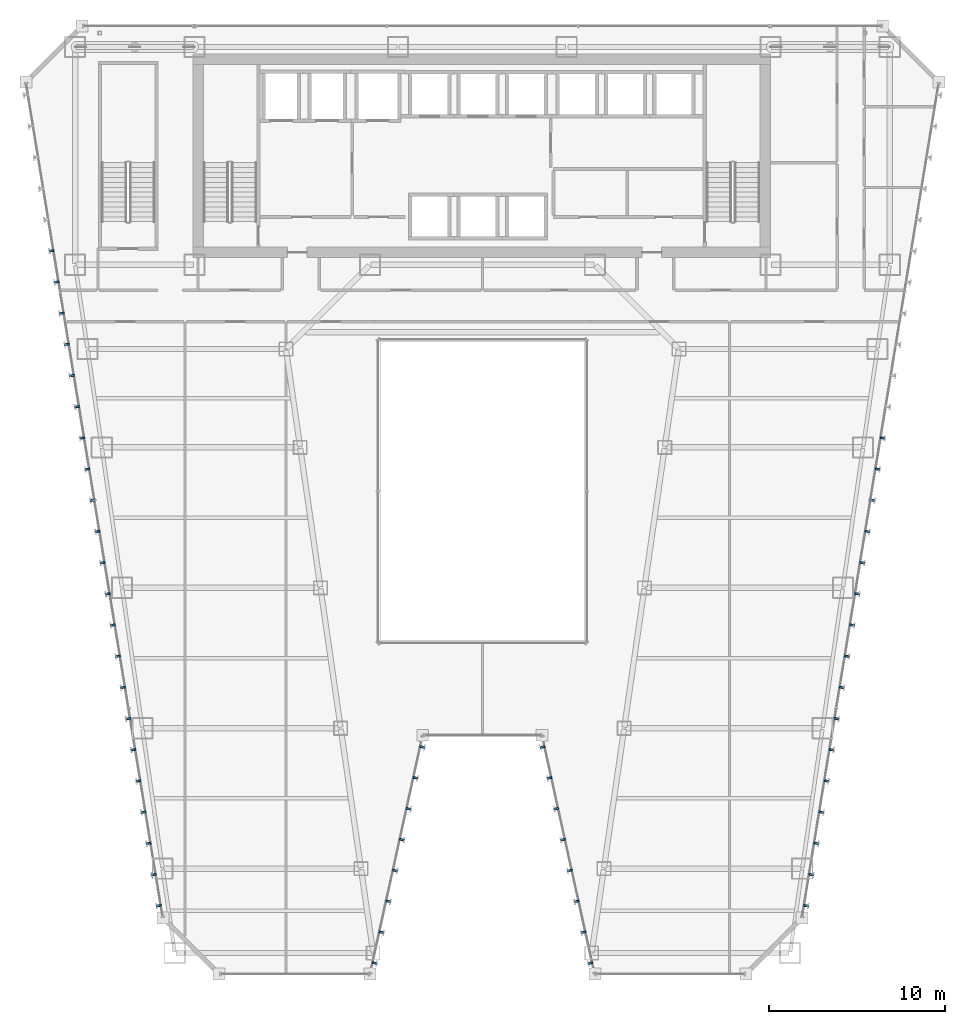
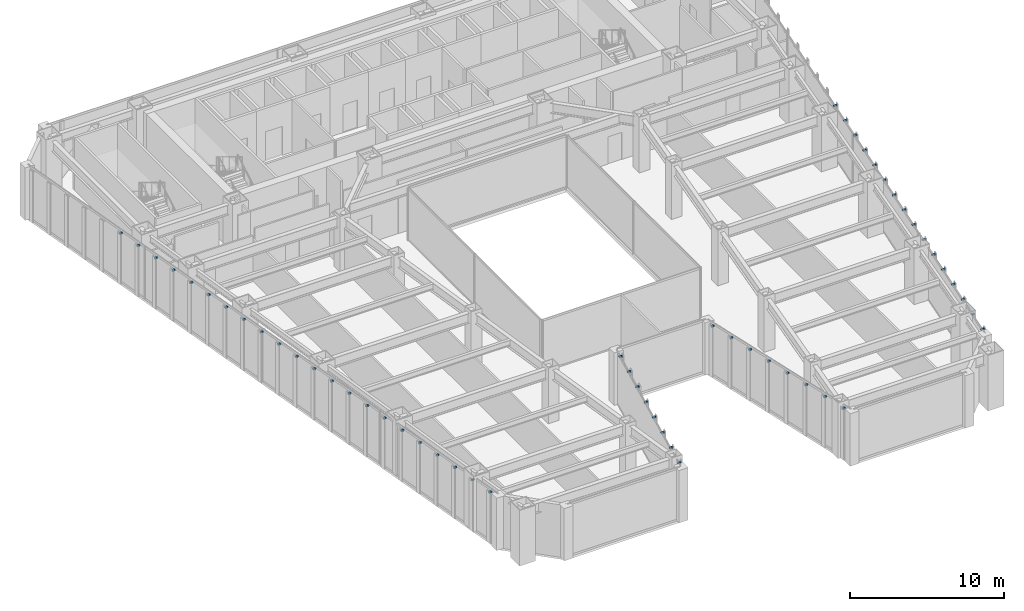
# One storey, part 39 of 47: 54 discrete accessories.
"""IFC4 building model written with IfcOpenShell, lengths in metres."""

from ifc_helpers import new_model, si_unit, direction, frame, origin, origin_2d, place, context, subcontext, project, spatial, rectangle, extrude, material, layer, layer_set, type_object, element, save


model = new_model("IFC4")

# Units and contexts
model_context = context("Model", 3, precision=1e-05, world=origin(), true_north=direction((0.0, 1.0)))
body_context = subcontext(model_context, "Body", "Model", "MODEL_VIEW")
ifc_project = project(units=[si_unit("LENGTHUNIT", "METRE"), si_unit("AREAUNIT", "SQUARE_METRE"), si_unit("VOLUMEUNIT", "CUBIC_METRE"), si_unit("PLANEANGLEUNIT", "RADIAN"), si_unit("MASSUNIT", "GRAM", prefix="KILO")], contexts=[model_context])

# Site, building, storey
site_placement = place(None, origin())
site = spatial("IfcSite", under=ifc_project, at=site_placement, CompositionType="ELEMENT")
building_placement = place(site_placement, origin())
building = spatial("IfcBuilding", under=site, at=building_placement, Name="Saevonmaru Cultural Tower", CompositionType="ELEMENT")
storey_placement = place(building_placement, frame((0.0, 0.0, 51.60009765625)))
storey = spatial("IfcBuildingStorey", under=building, at=storey_placement, Name="L10", CompositionType="ELEMENT", Elevation=51.60009765625)

# Discrete accessories
ifc_material = material(Name="Stainless Steel 316", Category="steel")
ifc_layer = layer(ifc_material, 0.1201171875, Name="Stainless Steel 316")
ifc_layer_set = layer_set([ifc_layer], Name="Stainless Steel 316")
discrete_accessory_type = type_object("IfcDiscreteAccessoryType", Name="ACC-FIN-BRKT", PredefinedType="BRACKET", material=ifc_layer_set)
for number, where, z_axis, x_axis, name in (
    (1, (23.850341796875, 2.624267578125, 3.929931640625), (0.0, 0.0, 1.0), (0.976522126798, -0.215417120661, 0.0), "L10 Bronze Fin Bracket E3-01"),
    (2, (24.238037109375, 4.3818359375, 3.929931640625), (0.0, 0.0, 1.0), (0.976522126798, -0.215417120661, 0.0), "L10 Bronze Fin Bracket E3-02"),
    (3, (24.625732421875, 6.1396484375, 3.929931640625), (0.0, 0.0, 1.0), (0.976522126798, -0.215417120661, 0.0), "L10 Bronze Fin Bracket E3-03"),
    (4, (25.013427734375, 7.8974609375, 3.929931640625), (0.0, 0.0, 1.0), (0.976522126798, -0.215417120661, 0.0), "L10 Bronze Fin Bracket E3-04"),
    (5, (25.4013671875, 9.6552734375, 3.929931640625), (0.0, 0.0, 1.0), (0.976522126798, -0.215417120661, 0.0), "L10 Bronze Fin Bracket E3-05"),
    (6, (25.7890625, 11.412841796875, 3.929931640625), (0.0, 0.0, 1.0), (0.976522126798, -0.215417120661, 0.0), "L10 Bronze Fin Bracket E3-06"),
    (7, (26.1767578125, 13.170654296875, 3.929931640625), (0.0, 0.0, 1.0), (0.976522126798, -0.215417120661, 0.0), "L10 Bronze Fin Bracket E3-07"),
    (8, (26.564453125, 14.928466796875, 3.929931640625), (0.0, 0.0, 1.0), (0.976522126798, -0.215417120661, 0.0), "L10 Bronze Fin Bracket E3-08"),
    (9, (33.435546875, 14.928466796875, 3.929931640625), (0.0, 0.0, 1.0), (-0.976522126798, -0.215417120661, 0.0), "L10 Bronze Fin Bracket E5-01"),
    (10, (33.8232421875, 13.170654296875, 3.929931640625), (0.0, 0.0, 1.0), (-0.976522126798, -0.215417120661, 0.0), "L10 Bronze Fin Bracket E5-02"),
    (11, (34.2109375, 11.412841796875, 3.929931640625), (0.0, 0.0, 1.0), (-0.976522126798, -0.215417120661, 0.0), "L10 Bronze Fin Bracket E5-03"),
    (12, (34.5986328125, 9.6552734375, 3.929931640625), (0.0, 0.0, 1.0), (-0.976522126798, -0.215417120661, 0.0), "L10 Bronze Fin Bracket E5-04"),
    (13, (34.986572265625, 7.8974609375, 3.929931640625), (0.0, 0.0, 1.0), (-0.976522126798, -0.215417120661, 0.0), "L10 Bronze Fin Bracket E5-05"),
    (14, (35.374267578125, 6.1396484375, 3.929931640625), (0.0, 0.0, 1.0), (-0.976522126798, -0.215417120661, 0.0), "L10 Bronze Fin Bracket E5-06"),
    (15, (35.761962890625, 4.3818359375, 3.929931640625), (0.0, 0.0, 1.0), (-0.976522126798, -0.215417120661, 0.0), "L10 Bronze Fin Bracket E5-07"),
    (16, (36.149658203125, 2.624267578125, 3.929931640625), (0.0, 0.0, 1.0), (-0.976522126798, -0.215417120661, 0.0), "L10 Bronze Fin Bracket E5-08"),
    (17, (48.424560546875, 5.89013671875, 3.929931640625), (0.0, 0.0, 1.0), (0.986827496189, -0.161776057456, 0.0), "L10 Bronze Fin Bracket E8-01"),
    (18, (48.715576171875, 7.66650390625, 3.929931640625), (0.0, 0.0, 1.0), (0.986827496189, -0.161776057456, 0.0), "L10 Bronze Fin Bracket E8-02"),
    (19, (49.006591796875, 9.44287109375, 3.929931640625), (0.0, 0.0, 1.0), (0.986827496189, -0.161776057456, 0.0), "L10 Bronze Fin Bracket E8-03"),
    (20, (49.2978515625, 11.218994140625, 3.929931640625), (0.0, 0.0, 1.0), (0.986827496189, -0.161776057456, 0.0), "L10 Bronze Fin Bracket E8-04"),
    (21, (49.5888671875, 12.995361328125, 3.929931640625), (0.0, 0.0, 1.0), (0.986827496189, -0.161776057456, 0.0), "L10 Bronze Fin Bracket E8-05"),
    (22, (49.8798828125, 14.771728515625, 3.929931640625), (0.0, 0.0, 1.0), (0.986827496189, -0.161776057456, 0.0), "L10 Bronze Fin Bracket E8-06"),
    (23, (50.1708984375, 16.548095703125, 3.929931640625), (0.0, 0.0, 1.0), (0.986827496189, -0.161776057456, 0.0), "L10 Bronze Fin Bracket E8-07"),
    (24, (50.462158203125, 18.324462890625, 3.929931640625), (0.0, 0.0, 1.0), (0.986827496189, -0.161776057456, 0.0), "L10 Bronze Fin Bracket E8-08"),
    (25, (50.753173828125, 20.1005859375, 3.929931640625), (0.0, 0.0, 1.0), (0.986827496189, -0.161776057456, 0.0), "L10 Bronze Fin Bracket E8-09"),
    (26, (51.044189453125, 21.876953125, 3.929931640625), (0.0, 0.0, 1.0), (0.986827496189, -0.161776057456, 0.0), "L10 Bronze Fin Bracket E8-10"),
    (27, (51.335205078125, 23.6533203125, 3.929931640625), (0.0, 0.0, 1.0), (0.986827496189, -0.161776057456, 0.0), "L10 Bronze Fin Bracket E8-11"),
    (28, (51.62646484375, 25.4296875, 3.929931640625), (0.0, 0.0, 1.0), (0.986827496189, -0.161776057456, 0.0), "L10 Bronze Fin Bracket E8-12"),
    (29, (51.91748046875, 27.205810546875, 3.929931640625), (0.0, 0.0, 1.0), (0.986827496189, -0.161776057456, 0.0), "L10 Bronze Fin Bracket E8-13"),
    (30, (52.20849609375, 28.982177734375, 3.929931640625), (0.0, 0.0, 1.0), (0.986827496189, -0.161776057456, 0.0), "L10 Bronze Fin Bracket E8-14"),
    (31, (52.49951171875, 30.758544921875, 3.929931640625), (0.0, 0.0, 1.0), (0.986827496189, -0.161776057456, 0.0), "L10 Bronze Fin Bracket E8-15"),
    (32, (52.790771484375, 32.534912109375, 3.929931640625), (0.0, 0.0, 1.0), (0.986827496189, -0.161776057456, 0.0), "L10 Bronze Fin Bracket E8-16"),
    (33, (5.462890625, 43.192626953125, 3.929931640625), (0.0, 0.0, 1.0), (-0.986827496189, -0.161776057456, 0.0), "L10 Bronze Fin Bracket E12-06"),
    (34, (5.75390625, 41.41650390625, 3.929931640625), (0.0, 0.0, 1.0), (-0.986827496189, -0.161776057456, 0.0), "L10 Bronze Fin Bracket E12-07"),
    (35, (6.044921875, 39.64013671875, 3.929931640625), (0.0, 0.0, 1.0), (-0.986827496189, -0.161776057456, 0.0), "L10 Bronze Fin Bracket E12-08"),
    (36, (6.336181640625, 37.86376953125, 3.929931640625), (0.0, 0.0, 1.0), (-0.986827496189, -0.161776057456, 0.0), "L10 Bronze Fin Bracket E12-09"),
    (37, (6.627197265625, 36.08740234375, 3.929931640625), (0.0, 0.0, 1.0), (-0.986827496189, -0.161776057456, 0.0), "L10 Bronze Fin Bracket E12-10"),
    (38, (6.918212890625, 34.31103515625, 3.929931640625), (0.0, 0.0, 1.0), (-0.986827496189, -0.161776057456, 0.0), "L10 Bronze Fin Bracket E12-11"),
    (39, (7.209228515625, 32.534912109375, 3.929931640625), (0.0, 0.0, 1.0), (-0.986827496189, -0.161776057456, 0.0), "L10 Bronze Fin Bracket E12-12"),
    (40, (7.50048828125, 30.758544921875, 3.929931640625), (0.0, 0.0, 1.0), (-0.986827496189, -0.161776057456, 0.0), "L10 Bronze Fin Bracket E12-13"),
    (41, (7.79150390625, 28.982177734375, 3.929931640625), (0.0, 0.0, 1.0), (-0.986827496189, -0.161776057456, 0.0), "L10 Bronze Fin Bracket E12-14"),
    (42, (8.08251953125, 27.205810546875, 3.929931640625), (0.0, 0.0, 1.0), (-0.986827496189, -0.161776057456, 0.0), "L10 Bronze Fin Bracket E12-15"),
    (43, (8.37353515625, 25.4296875, 3.929931640625), (0.0, 0.0, 1.0), (-0.986827496189, -0.161776057456, 0.0), "L10 Bronze Fin Bracket E12-16"),
    (44, (8.664794921875, 23.6533203125, 3.929931640625), (0.0, 0.0, 1.0), (-0.986827496189, -0.161776057456, 0.0), "L10 Bronze Fin Bracket E12-17"),
    (45, (8.955810546875, 21.876953125, 3.929931640625), (0.0, 0.0, 1.0), (-0.986827496189, -0.161776057456, 0.0), "L10 Bronze Fin Bracket E12-18"),
    (46, (9.246826171875, 20.1005859375, 3.929931640625), (0.0, 0.0, 1.0), (-0.986827496189, -0.161776057456, 0.0), "L10 Bronze Fin Bracket E12-19"),
    (47, (9.537841796875, 18.324462890625, 3.929931640625), (0.0, 0.0, 1.0), (-0.986827496189, -0.161776057456, 0.0), "L10 Bronze Fin Bracket E12-20"),
    (48, (9.8291015625, 16.548095703125, 3.929931640625), (0.0, 0.0, 1.0), (-0.986827496189, -0.161776057456, 0.0), "L10 Bronze Fin Bracket E12-21"),
    (49, (10.1201171875, 14.771728515625, 3.929931640625), (0.0, 0.0, 1.0), (-0.986827496189, -0.161776057456, 0.0), "L10 Bronze Fin Bracket E12-22"),
    (50, (10.4111328125, 12.995361328125, 3.929931640625), (0.0, 0.0, 1.0), (-0.986827496189, -0.161776057456, 0.0), "L10 Bronze Fin Bracket E12-23"),
    (51, (10.7021484375, 11.218994140625, 3.929931640625), (0.0, 0.0, 1.0), (-0.986827496189, -0.161776057456, 0.0), "L10 Bronze Fin Bracket E12-24"),
    (52, (10.993408203125, 9.44287109375, 3.929931640625), (0.0, 0.0, 1.0), (-0.986827496189, -0.161776057456, 0.0), "L10 Bronze Fin Bracket E12-25"),
    (53, (11.284423828125, 7.66650390625, 3.929931640625), (0.0, 0.0, 1.0), (-0.986827496189, -0.161776057456, 0.0), "L10 Bronze Fin Bracket E12-26"),
    (54, (11.575439453125, 5.89013671875, 3.929931640625), (0.0, 0.0, 1.0), (-0.986827496189, -0.161776057456, 0.0), "L10 Bronze Fin Bracket E12-27"),
):
    element("IfcDiscreteAccessory", number, at=place(storey_placement, frame(where, z_axis=z_axis, x_axis=x_axis)), inside=storey, type_object=discrete_accessory_type, Name=name, PredefinedType="BRACKET", context=body_context, shape_type="SweptSolid", body=[
        extrude(rectangle(XDim=0.260009765625, YDim=0.1201171875, at=origin_2d()), origin(), (0.0, 0.0, 1.0), 0.1201171875),
    ])

save(model, "model.ifc")
